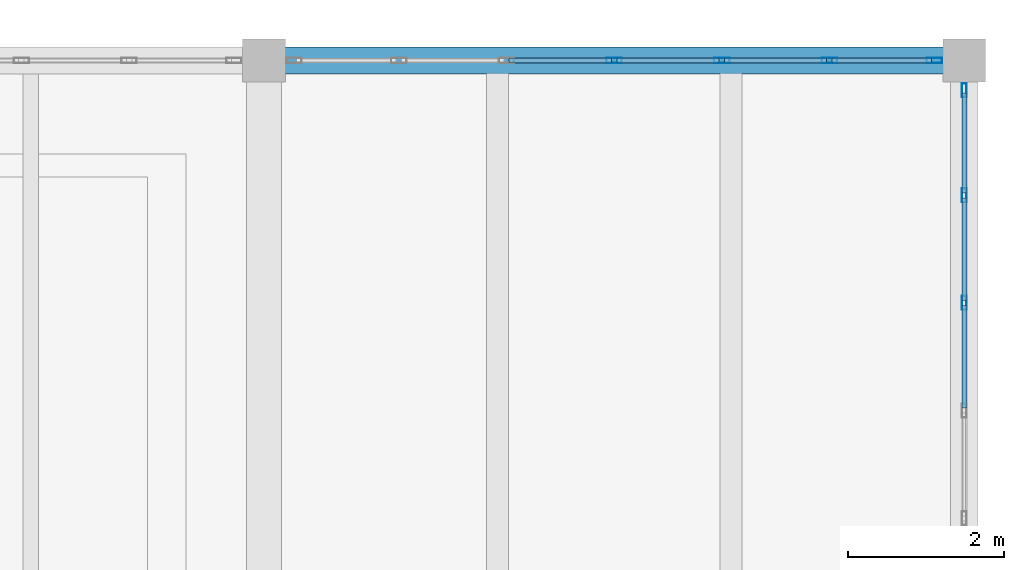
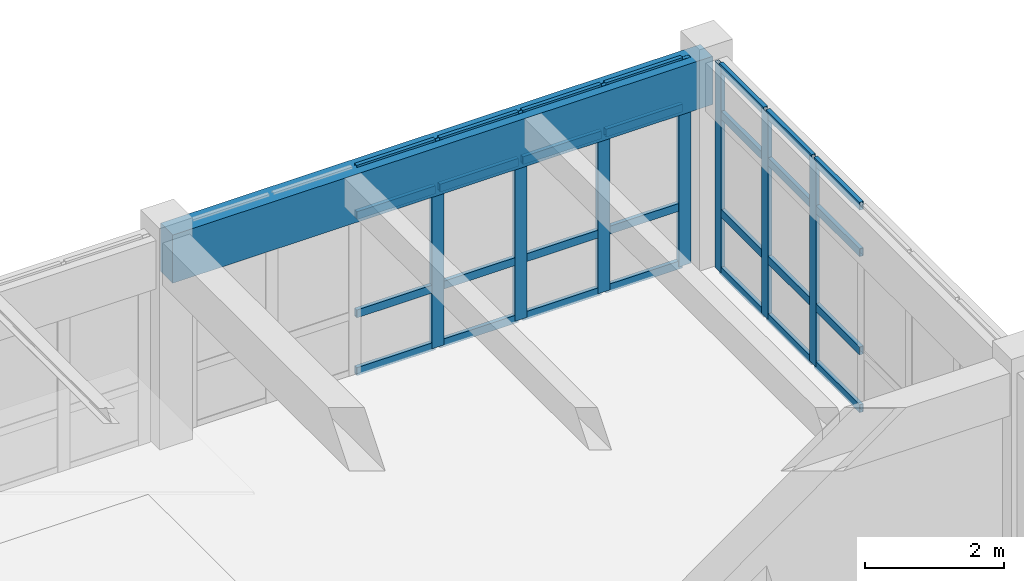
# One storey, part 105 of 156: 35 members, 1 beam, 2 elements without a shape of their own.
"""IFC4 building model written with IfcOpenShell, lengths in metres."""

from ifc_helpers import new_model, si_unit, direction, frame, origin, origin_2d, place, context, subcontext, project, spatial, rectangle, hollow_rectangle, extrude, material, layer, layer_set, material_profile, profile_set, type_object, element, aggregate, save


model = new_model("IFC4")

# Units and contexts
model_context = context("Model", 3, precision=1e-05, world=origin(), true_north=direction((0.0, 1.0)))
body_context = subcontext(model_context, "Body", "Model", "MODEL_VIEW")
ifc_project = project(units=[si_unit("LENGTHUNIT", "METRE"), si_unit("AREAUNIT", "SQUARE_METRE"), si_unit("VOLUMEUNIT", "CUBIC_METRE"), si_unit("PLANEANGLEUNIT", "RADIAN"), si_unit("MASSUNIT", "GRAM", prefix="KILO")], contexts=[model_context])

# Site, building, storey
site_placement = place(None, origin())
site = spatial("IfcSite", under=ifc_project, at=site_placement, CompositionType="ELEMENT")
building_placement = place(site_placement, origin())
building = spatial("IfcBuilding", under=site, at=building_placement, Name="Ornek Quay Market", CompositionType="ELEMENT")
storey_placement = place(building_placement, frame((0.0, 0.0, 4.5)))
storey = spatial("IfcBuildingStorey", under=building, at=storey_placement, Name="L01", CompositionType="ELEMENT", Elevation=4.5)

# Beam
ifc_material_1 = material(Name="Concrete C40/50", Category="concrete")
ifc_material_profile_1 = material_profile(ifc_material_1, rectangle(XDim=0.35009765625, YDim=0.85009765625, at=origin_2d()), Name="RC 350x850", Category="concrete")
ifc_profile_set_1 = profile_set([ifc_material_profile_1], Name="Concrete C40/50")
beam_type = type_object("IfcBeamType", Name="BM-SPN-350x850", PredefinedType="SPANDREL", material=ifc_profile_set_1)
beam_placement = place(storey_placement, frame((171.0, 110.0, 3.205078125), z_axis=(1.0, 0.0, 0.0), x_axis=(0.0, 1.0, 0.0)))
element("IfcBeam", 1, at=beam_placement, inside=storey, type_object=beam_type, Name="Primary beam B-SP1-106", PredefinedType="SPANDREL", context=body_context, shape_type="SweptSolid", body=[
    extrude(rectangle(XDim=0.35009765625, YDim=0.85009765625, at=origin_2d()), origin(), (0.0, 0.0, 1.0), 9.0),
])

# Curtain wall, members
ifc_material_2 = material(Name="Anodised bronze aluminium and triple low-e glass", Category="aluminium")
ifc_layer = layer(ifc_material_2, 0.18994140625, Name="Anodised bronze aluminium and triple low-e glass", Category="aluminium")
ifc_layer_set = layer_set([ifc_layer], Name="Anodised bronze aluminium and triple low-e glass")
curtain_wall_type = type_object("IfcCurtainWallType", Name="CW-FC-MOD1500", PredefinedType="USERDEFINED", material=ifc_layer_set)
curtain_wall_1_placement = place(storey_placement, origin())
curtain_wall_1 = element("IfcCurtainWall", 2, at=curtain_wall_1_placement, inside=storey, type_object=curtain_wall_type, Name="Curtain wall CW-087", ObjectType="CURTAIN WALL", PredefinedType="USERDEFINED")
ifc_material_3 = material(Name="Anodised aluminium 6063-T6", Category="aluminium")
ifc_material_profile_2 = material_profile(ifc_material_3, hollow_rectangle(XDim=0.06494140625, YDim=0.179931640625, WallThickness=0.00439453125, at=origin_2d()), Name="CW-MUL-65x180", Category="aluminium")
ifc_profile_set_2 = profile_set([ifc_material_profile_2], Name="Anodised aluminium 6063-T6")
member_type_1 = type_object("IfcMemberType", Name="CW-MUL-65x180", PredefinedType="MULLION", material=ifc_profile_set_2)
member_1_placement = place(storey_placement, frame((180.0, 106.88330078125, 0.0), z_axis=(0.0, 0.0, 1.0), x_axis=(-1.0, 0.0, 0.0)))
member_1 = element("IfcMember", 3, at=member_1_placement, type_object=member_type_1, Name="CW-087 mullion 5", PredefinedType="MULLION", context=body_context, shape_type="SweptSolid", body=[
    extrude(hollow_rectangle(XDim=0.06494140625, YDim=0.179931640625, WallThickness=0.00439453125, at=origin_2d()), origin(), (0.0, 0.0, 1.0), 3.6298828125),
])
member_2_placement = place(storey_placement, frame((180.0, 108.2666015625, 0.0), z_axis=(0.0, 0.0, 1.0), x_axis=(-1.0, 0.0, 0.0)))
member_2 = element("IfcMember", 4, at=member_2_placement, type_object=member_type_1, Name="CW-087 mullion 6", PredefinedType="MULLION", context=body_context, shape_type="SweptSolid", body=[
    extrude(hollow_rectangle(XDim=0.06494140625, YDim=0.179931640625, WallThickness=0.00439453125, at=origin_2d()), origin(), (0.0, 0.0, 1.0), 3.6298828125),
])
member_3_placement = place(storey_placement, frame((180.0, 109.617431640625, 0.0), z_axis=(0.0, 0.0, 1.0), x_axis=(-1.0, 0.0, 0.0)))
member_3 = element("IfcMember", 5, at=member_3_placement, type_object=member_type_1, Name="CW-087 mullion 7", PredefinedType="MULLION", context=body_context, shape_type="SweptSolid", body=[
    extrude(hollow_rectangle(XDim=0.06494140625, YDim=0.179931640625, WallThickness=0.00439453125, at=origin_2d()), origin(), (0.0, 0.0, 1.0), 3.6298828125),
])

curtain_wall_2_placement = place(storey_placement, origin())
curtain_wall_2 = element("IfcCurtainWall", 6, at=curtain_wall_2_placement, inside=storey, type_object=curtain_wall_type, Name="Curtain wall CW-085", ObjectType="CURTAIN WALL", PredefinedType="USERDEFINED")
ifc_material_profile_3 = material_profile(ifc_material_3, hollow_rectangle(XDim=0.070068359375, YDim=0.199951171875, WallThickness=0.0048828125, at=origin_2d()), Name="CW-MUL-70x200", Category="aluminium")
ifc_profile_set_3 = profile_set([ifc_material_profile_3], Name="Anodised aluminium 6063-T6")
member_type_2 = type_object("IfcMemberType", Name="CW-MUL-70x200", PredefinedType="MULLION", material=ifc_profile_set_3)
member_4_placement = place(storey_placement, frame((175.5, 110.0, 0.0), z_axis=(0.0, 0.0, 1.0), x_axis=(0.0, 1.0, 0.0)))
member_4 = element("IfcMember", 7, at=member_4_placement, type_object=member_type_2, Name="CW-085 mullion 4", PredefinedType="MULLION", context=body_context, shape_type="SweptSolid", body=[
    extrude(hollow_rectangle(XDim=0.070068359375, YDim=0.199951171875, WallThickness=0.0048828125, at=origin_2d()), origin(), (0.0, 0.0, 1.0), 3.6298828125),
])
member_5_placement = place(storey_placement, frame((176.88330078125, 110.0, 0.0), z_axis=(0.0, 0.0, 1.0), x_axis=(0.0, 1.0, 0.0)))
member_5 = element("IfcMember", 8, at=member_5_placement, type_object=member_type_2, Name="CW-085 mullion 5", PredefinedType="MULLION", context=body_context, shape_type="SweptSolid", body=[
    extrude(hollow_rectangle(XDim=0.070068359375, YDim=0.199951171875, WallThickness=0.0048828125, at=origin_2d()), origin(), (0.0, 0.0, 1.0), 3.6298828125),
])
member_6_placement = place(storey_placement, frame((178.2666015625, 110.0, 0.0), z_axis=(0.0, 0.0, 1.0), x_axis=(0.0, 1.0, 0.0)))
member_6 = element("IfcMember", 9, at=member_6_placement, type_object=member_type_2, Name="CW-085 mullion 6", PredefinedType="MULLION", context=body_context, shape_type="SweptSolid", body=[
    extrude(hollow_rectangle(XDim=0.070068359375, YDim=0.199951171875, WallThickness=0.0048828125, at=origin_2d()), origin(), (0.0, 0.0, 1.0), 3.6298828125),
])
member_7_placement = place(storey_placement, frame((179.614990234375, 110.0, 0.0), z_axis=(0.0, 0.0, 1.0), x_axis=(0.0, 1.0, 0.0)))
member_7 = element("IfcMember", 10, at=member_7_placement, type_object=member_type_2, Name="CW-085 mullion 7", PredefinedType="MULLION", context=body_context, shape_type="SweptSolid", body=[
    extrude(hollow_rectangle(XDim=0.070068359375, YDim=0.199951171875, WallThickness=0.0048828125, at=origin_2d()), origin(), (0.0, 0.0, 1.0), 3.6298828125),
])
ifc_material_profile_4 = material_profile(ifc_material_3, hollow_rectangle(XDim=0.06494140625, YDim=0.139892578125, WallThickness=0.00439453125, at=origin_2d()), Name="CW-TRN-65x140", Category="aluminium")
ifc_profile_set_4 = profile_set([ifc_material_profile_4], Name="Anodised aluminium 6063-T6")
member_type_3 = type_object("IfcMemberType", Name="CW-TRN-65x140", PredefinedType="USERDEFINED", material=ifc_profile_set_4)
member_8_placement = place(storey_placement, frame((174.151611328125, 110.0, 0.032470703125), z_axis=(1.0, 0.0, 0.0), x_axis=(0.0, 1.0, 0.0)))
member_8 = element("IfcMember", 11, at=member_8_placement, type_object=member_type_3, Name="CW-085 transom 3.1", ObjectType="TRANSOM", PredefinedType="USERDEFINED", context=body_context, shape_type="SweptSolid", body=[
    extrude(hollow_rectangle(XDim=0.06494140625, YDim=0.139892578125, WallThickness=0.00439453125, at=origin_2d()), origin(), (0.0, 0.0, 1.0), 1.3134765625),
])
member_9_placement = place(storey_placement, frame((174.151611328125, 110.0, 1.050048828125), z_axis=(1.0, 0.0, 0.0), x_axis=(0.0, 1.0, 0.0)))
member_9 = element("IfcMember", 12, at=member_9_placement, type_object=member_type_3, Name="CW-085 transom 3.2", ObjectType="TRANSOM", PredefinedType="USERDEFINED", context=body_context, shape_type="SweptSolid", body=[
    extrude(hollow_rectangle(XDim=0.06494140625, YDim=0.139892578125, WallThickness=0.00439453125, at=origin_2d()), origin(), (0.0, 0.0, 1.0), 1.3134765625),
])
member_10_placement = place(storey_placement, frame((174.151611328125, 110.0, 2.780029296875), z_axis=(1.0, 0.0, 0.0), x_axis=(0.0, 1.0, 0.0)))
member_10 = element("IfcMember", 13, at=member_10_placement, type_object=member_type_3, Name="CW-085 transom 3.3", ObjectType="TRANSOM", PredefinedType="USERDEFINED", context=body_context, shape_type="SweptSolid", body=[
    extrude(hollow_rectangle(XDim=0.06494140625, YDim=0.139892578125, WallThickness=0.00439453125, at=origin_2d()), origin(), (0.0, 0.0, 1.0), 1.3134765625),
])
member_11_placement = place(storey_placement, frame((174.151611328125, 110.0, 3.597412109375), z_axis=(1.0, 0.0, 0.0), x_axis=(0.0, 1.0, 0.0)))
member_11 = element("IfcMember", 14, at=member_11_placement, type_object=member_type_3, Name="CW-085 transom 3.4", ObjectType="TRANSOM", PredefinedType="USERDEFINED", context=body_context, shape_type="SweptSolid", body=[
    extrude(hollow_rectangle(XDim=0.06494140625, YDim=0.139892578125, WallThickness=0.00439453125, at=origin_2d()), origin(), (0.0, 0.0, 1.0), 1.3134765625),
])
member_12_placement = place(storey_placement, frame((175.534912109375, 110.0, 0.032470703125), z_axis=(1.0, 0.0, 0.0), x_axis=(0.0, 1.0, 0.0)))
member_12 = element("IfcMember", 15, at=member_12_placement, type_object=member_type_3, Name="CW-085 transom 4.1", ObjectType="TRANSOM", PredefinedType="USERDEFINED", context=body_context, shape_type="SweptSolid", body=[
    extrude(hollow_rectangle(XDim=0.06494140625, YDim=0.139892578125, WallThickness=0.00439453125, at=origin_2d()), origin(), (0.0, 0.0, 1.0), 1.3134765625),
])
member_13_placement = place(storey_placement, frame((175.534912109375, 110.0, 1.050048828125), z_axis=(1.0, 0.0, 0.0), x_axis=(0.0, 1.0, 0.0)))
member_13 = element("IfcMember", 16, at=member_13_placement, type_object=member_type_3, Name="CW-085 transom 4.2", ObjectType="TRANSOM", PredefinedType="USERDEFINED", context=body_context, shape_type="SweptSolid", body=[
    extrude(hollow_rectangle(XDim=0.06494140625, YDim=0.139892578125, WallThickness=0.00439453125, at=origin_2d()), origin(), (0.0, 0.0, 1.0), 1.3134765625),
])
member_14_placement = place(storey_placement, frame((175.534912109375, 110.0, 2.780029296875), z_axis=(1.0, 0.0, 0.0), x_axis=(0.0, 1.0, 0.0)))
member_14 = element("IfcMember", 17, at=member_14_placement, type_object=member_type_3, Name="CW-085 transom 4.3", ObjectType="TRANSOM", PredefinedType="USERDEFINED", context=body_context, shape_type="SweptSolid", body=[
    extrude(hollow_rectangle(XDim=0.06494140625, YDim=0.139892578125, WallThickness=0.00439453125, at=origin_2d()), origin(), (0.0, 0.0, 1.0), 1.3134765625),
])
member_15_placement = place(storey_placement, frame((175.534912109375, 110.0, 3.597412109375), z_axis=(1.0, 0.0, 0.0), x_axis=(0.0, 1.0, 0.0)))
member_15 = element("IfcMember", 18, at=member_15_placement, type_object=member_type_3, Name="CW-085 transom 4.4", ObjectType="TRANSOM", PredefinedType="USERDEFINED", context=body_context, shape_type="SweptSolid", body=[
    extrude(hollow_rectangle(XDim=0.06494140625, YDim=0.139892578125, WallThickness=0.00439453125, at=origin_2d()), origin(), (0.0, 0.0, 1.0), 1.3134765625),
])
member_16_placement = place(storey_placement, frame((176.918212890625, 110.0, 0.032470703125), z_axis=(1.0, 0.0, 0.0), x_axis=(0.0, 1.0, 0.0)))
member_16 = element("IfcMember", 19, at=member_16_placement, type_object=member_type_3, Name="CW-085 transom 5.1", ObjectType="TRANSOM", PredefinedType="USERDEFINED", context=body_context, shape_type="SweptSolid", body=[
    extrude(hollow_rectangle(XDim=0.06494140625, YDim=0.139892578125, WallThickness=0.00439453125, at=origin_2d()), origin(), (0.0, 0.0, 1.0), 1.3134765625),
])
member_17_placement = place(storey_placement, frame((176.918212890625, 110.0, 1.050048828125), z_axis=(1.0, 0.0, 0.0), x_axis=(0.0, 1.0, 0.0)))
member_17 = element("IfcMember", 20, at=member_17_placement, type_object=member_type_3, Name="CW-085 transom 5.2", ObjectType="TRANSOM", PredefinedType="USERDEFINED", context=body_context, shape_type="SweptSolid", body=[
    extrude(hollow_rectangle(XDim=0.06494140625, YDim=0.139892578125, WallThickness=0.00439453125, at=origin_2d()), origin(), (0.0, 0.0, 1.0), 1.3134765625),
])
member_18_placement = place(storey_placement, frame((176.918212890625, 110.0, 2.780029296875), z_axis=(1.0, 0.0, 0.0), x_axis=(0.0, 1.0, 0.0)))
member_18 = element("IfcMember", 21, at=member_18_placement, type_object=member_type_3, Name="CW-085 transom 5.3", ObjectType="TRANSOM", PredefinedType="USERDEFINED", context=body_context, shape_type="SweptSolid", body=[
    extrude(hollow_rectangle(XDim=0.06494140625, YDim=0.139892578125, WallThickness=0.00439453125, at=origin_2d()), origin(), (0.0, 0.0, 1.0), 1.3134765625),
])
member_19_placement = place(storey_placement, frame((176.918212890625, 110.0, 3.597412109375), z_axis=(1.0, 0.0, 0.0), x_axis=(0.0, 1.0, 0.0)))
member_19 = element("IfcMember", 22, at=member_19_placement, type_object=member_type_3, Name="CW-085 transom 5.4", ObjectType="TRANSOM", PredefinedType="USERDEFINED", context=body_context, shape_type="SweptSolid", body=[
    extrude(hollow_rectangle(XDim=0.06494140625, YDim=0.139892578125, WallThickness=0.00439453125, at=origin_2d()), origin(), (0.0, 0.0, 1.0), 1.3134765625),
])
member_20_placement = place(storey_placement, frame((178.3017578125, 110.0, 0.032470703125), z_axis=(1.0, 0.0, 0.0), x_axis=(0.0, 1.0, 0.0)))
member_20 = element("IfcMember", 23, at=member_20_placement, type_object=member_type_3, Name="CW-085 transom 6.1", ObjectType="TRANSOM", PredefinedType="USERDEFINED", context=body_context, shape_type="SweptSolid", body=[
    extrude(hollow_rectangle(XDim=0.06494140625, YDim=0.139892578125, WallThickness=0.00439453125, at=origin_2d()), origin(), (0.0, 0.0, 1.0), 1.2783203125),
])
member_21_placement = place(storey_placement, frame((178.3017578125, 110.0, 1.050048828125), z_axis=(1.0, 0.0, 0.0), x_axis=(0.0, 1.0, 0.0)))
member_21 = element("IfcMember", 24, at=member_21_placement, type_object=member_type_3, Name="CW-085 transom 6.2", ObjectType="TRANSOM", PredefinedType="USERDEFINED", context=body_context, shape_type="SweptSolid", body=[
    extrude(hollow_rectangle(XDim=0.06494140625, YDim=0.139892578125, WallThickness=0.00439453125, at=origin_2d()), origin(), (0.0, 0.0, 1.0), 1.2783203125),
])
member_22_placement = place(storey_placement, frame((178.3017578125, 110.0, 2.780029296875), z_axis=(1.0, 0.0, 0.0), x_axis=(0.0, 1.0, 0.0)))
member_22 = element("IfcMember", 25, at=member_22_placement, type_object=member_type_3, Name="CW-085 transom 6.3", ObjectType="TRANSOM", PredefinedType="USERDEFINED", context=body_context, shape_type="SweptSolid", body=[
    extrude(hollow_rectangle(XDim=0.06494140625, YDim=0.139892578125, WallThickness=0.00439453125, at=origin_2d()), origin(), (0.0, 0.0, 1.0), 1.2783203125),
])
member_23_placement = place(storey_placement, frame((178.3017578125, 110.0, 3.597412109375), z_axis=(1.0, 0.0, 0.0), x_axis=(0.0, 1.0, 0.0)))
member_23 = element("IfcMember", 26, at=member_23_placement, type_object=member_type_3, Name="CW-085 transom 6.4", ObjectType="TRANSOM", PredefinedType="USERDEFINED", context=body_context, shape_type="SweptSolid", body=[
    extrude(hollow_rectangle(XDim=0.06494140625, YDim=0.139892578125, WallThickness=0.00439453125, at=origin_2d()), origin(), (0.0, 0.0, 1.0), 1.2783203125),
])
aggregate(curtain_wall_2, [member_4, member_5, member_6, member_7, member_8, member_9, member_10, member_11, member_12, member_13, member_14, member_15, member_16, member_17, member_18, member_19, member_20, member_21, member_22, member_23])

# Member
member_24_placement = place(storey_placement, frame((180.0, 105.532470703125, 0.032470703125), z_axis=(0.0, 1.0, 0.0), x_axis=(-1.0, 0.0, 0.0)))
member_24 = element("IfcMember", 27, at=member_24_placement, type_object=member_type_3, Name="CW-087 transom 4.1", ObjectType="TRANSOM", PredefinedType="USERDEFINED", context=body_context, shape_type="SweptSolid", body=[
    extrude(hollow_rectangle(XDim=0.06494140625, YDim=0.139892578125, WallThickness=0.00439453125, at=origin_2d()), origin(), (0.0, 0.0, 1.0), 1.318359375),
])

member_25_placement = place(storey_placement, frame((180.0, 105.532470703125, 1.050048828125), z_axis=(0.0, 1.0, 0.0), x_axis=(-1.0, 0.0, 0.0)))
member_25 = element("IfcMember", 28, at=member_25_placement, type_object=member_type_3, Name="CW-087 transom 4.2", ObjectType="TRANSOM", PredefinedType="USERDEFINED", context=body_context, shape_type="SweptSolid", body=[
    extrude(hollow_rectangle(XDim=0.06494140625, YDim=0.139892578125, WallThickness=0.00439453125, at=origin_2d()), origin(), (0.0, 0.0, 1.0), 1.318359375),
])

member_26_placement = place(storey_placement, frame((180.0, 105.532470703125, 2.780029296875), z_axis=(0.0, 1.0, 0.0), x_axis=(-1.0, 0.0, 0.0)))
member_26 = element("IfcMember", 29, at=member_26_placement, type_object=member_type_3, Name="CW-087 transom 4.3", ObjectType="TRANSOM", PredefinedType="USERDEFINED", context=body_context, shape_type="SweptSolid", body=[
    extrude(hollow_rectangle(XDim=0.06494140625, YDim=0.139892578125, WallThickness=0.00439453125, at=origin_2d()), origin(), (0.0, 0.0, 1.0), 1.318359375),
])

member_27_placement = place(storey_placement, frame((180.0, 105.532470703125, 3.597412109375), z_axis=(0.0, 1.0, 0.0), x_axis=(-1.0, 0.0, 0.0)))
member_27 = element("IfcMember", 30, at=member_27_placement, type_object=member_type_3, Name="CW-087 transom 4.4", ObjectType="TRANSOM", PredefinedType="USERDEFINED", context=body_context, shape_type="SweptSolid", body=[
    extrude(hollow_rectangle(XDim=0.06494140625, YDim=0.139892578125, WallThickness=0.00439453125, at=origin_2d()), origin(), (0.0, 0.0, 1.0), 1.318359375),
])

member_28_placement = place(storey_placement, frame((180.0, 106.915771484375, 0.032470703125), z_axis=(0.0, 1.0, 0.0), x_axis=(-1.0, 0.0, 0.0)))
member_28 = element("IfcMember", 31, at=member_28_placement, type_object=member_type_3, Name="CW-087 transom 5.1", ObjectType="TRANSOM", PredefinedType="USERDEFINED", context=body_context, shape_type="SweptSolid", body=[
    extrude(hollow_rectangle(XDim=0.06494140625, YDim=0.139892578125, WallThickness=0.00439453125, at=origin_2d()), origin(), (0.0, 0.0, 1.0), 1.318359375),
])

member_29_placement = place(storey_placement, frame((180.0, 106.915771484375, 1.050048828125), z_axis=(0.0, 1.0, 0.0), x_axis=(-1.0, 0.0, 0.0)))
member_29 = element("IfcMember", 32, at=member_29_placement, type_object=member_type_3, Name="CW-087 transom 5.2", ObjectType="TRANSOM", PredefinedType="USERDEFINED", context=body_context, shape_type="SweptSolid", body=[
    extrude(hollow_rectangle(XDim=0.06494140625, YDim=0.139892578125, WallThickness=0.00439453125, at=origin_2d()), origin(), (0.0, 0.0, 1.0), 1.318359375),
])

member_30_placement = place(storey_placement, frame((180.0, 106.915771484375, 2.780029296875), z_axis=(0.0, 1.0, 0.0), x_axis=(-1.0, 0.0, 0.0)))
member_30 = element("IfcMember", 33, at=member_30_placement, type_object=member_type_3, Name="CW-087 transom 5.3", ObjectType="TRANSOM", PredefinedType="USERDEFINED", context=body_context, shape_type="SweptSolid", body=[
    extrude(hollow_rectangle(XDim=0.06494140625, YDim=0.139892578125, WallThickness=0.00439453125, at=origin_2d()), origin(), (0.0, 0.0, 1.0), 1.318359375),
])

member_31_placement = place(storey_placement, frame((180.0, 106.915771484375, 3.597412109375), z_axis=(0.0, 1.0, 0.0), x_axis=(-1.0, 0.0, 0.0)))
member_31 = element("IfcMember", 34, at=member_31_placement, type_object=member_type_3, Name="CW-087 transom 5.4", ObjectType="TRANSOM", PredefinedType="USERDEFINED", context=body_context, shape_type="SweptSolid", body=[
    extrude(hollow_rectangle(XDim=0.06494140625, YDim=0.139892578125, WallThickness=0.00439453125, at=origin_2d()), origin(), (0.0, 0.0, 1.0), 1.318359375),
])

member_32_placement = place(storey_placement, frame((180.0, 108.299072265625, 0.032470703125), z_axis=(0.0, 1.0, 0.0), x_axis=(-1.0, 0.0, 0.0)))
member_32 = element("IfcMember", 35, at=member_32_placement, type_object=member_type_3, Name="CW-087 transom 6.1", ObjectType="TRANSOM", PredefinedType="USERDEFINED", context=body_context, shape_type="SweptSolid", body=[
    extrude(hollow_rectangle(XDim=0.06494140625, YDim=0.139892578125, WallThickness=0.00439453125, at=origin_2d()), origin(), (0.0, 0.0, 1.0), 1.285888671875),
])

member_33_placement = place(storey_placement, frame((180.0, 108.299072265625, 1.050048828125), z_axis=(0.0, 1.0, 0.0), x_axis=(-1.0, 0.0, 0.0)))
member_33 = element("IfcMember", 36, at=member_33_placement, type_object=member_type_3, Name="CW-087 transom 6.2", ObjectType="TRANSOM", PredefinedType="USERDEFINED", context=body_context, shape_type="SweptSolid", body=[
    extrude(hollow_rectangle(XDim=0.06494140625, YDim=0.139892578125, WallThickness=0.00439453125, at=origin_2d()), origin(), (0.0, 0.0, 1.0), 1.285888671875),
])

member_34_placement = place(storey_placement, frame((180.0, 108.299072265625, 2.780029296875), z_axis=(0.0, 1.0, 0.0), x_axis=(-1.0, 0.0, 0.0)))
member_34 = element("IfcMember", 37, at=member_34_placement, type_object=member_type_3, Name="CW-087 transom 6.3", ObjectType="TRANSOM", PredefinedType="USERDEFINED", context=body_context, shape_type="SweptSolid", body=[
    extrude(hollow_rectangle(XDim=0.06494140625, YDim=0.139892578125, WallThickness=0.00439453125, at=origin_2d()), origin(), (0.0, 0.0, 1.0), 1.285888671875),
])

member_35_placement = place(storey_placement, frame((180.0, 108.299072265625, 3.597412109375), z_axis=(0.0, 1.0, 0.0), x_axis=(-1.0, 0.0, 0.0)))
member_35 = element("IfcMember", 38, at=member_35_placement, type_object=member_type_3, Name="CW-087 transom 6.4", ObjectType="TRANSOM", PredefinedType="USERDEFINED", context=body_context, shape_type="SweptSolid", body=[
    extrude(hollow_rectangle(XDim=0.06494140625, YDim=0.139892578125, WallThickness=0.00439453125, at=origin_2d()), origin(), (0.0, 0.0, 1.0), 1.285888671875),
])

aggregate(curtain_wall_1, [member_1, member_2, member_3, member_24, member_25, member_26, member_27, member_28, member_29, member_30, member_31, member_32, member_33, member_34, member_35])

save(model, "model.ifc")
